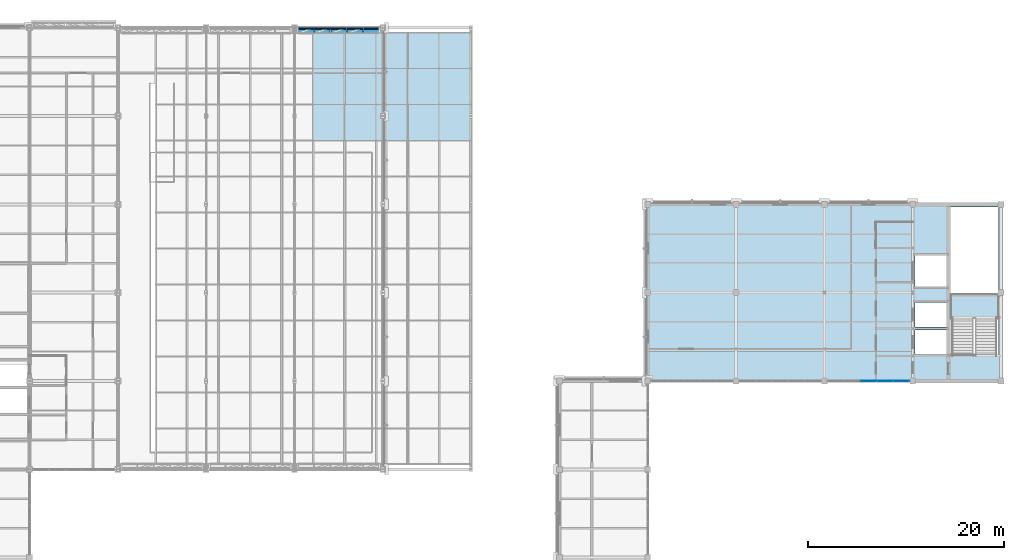
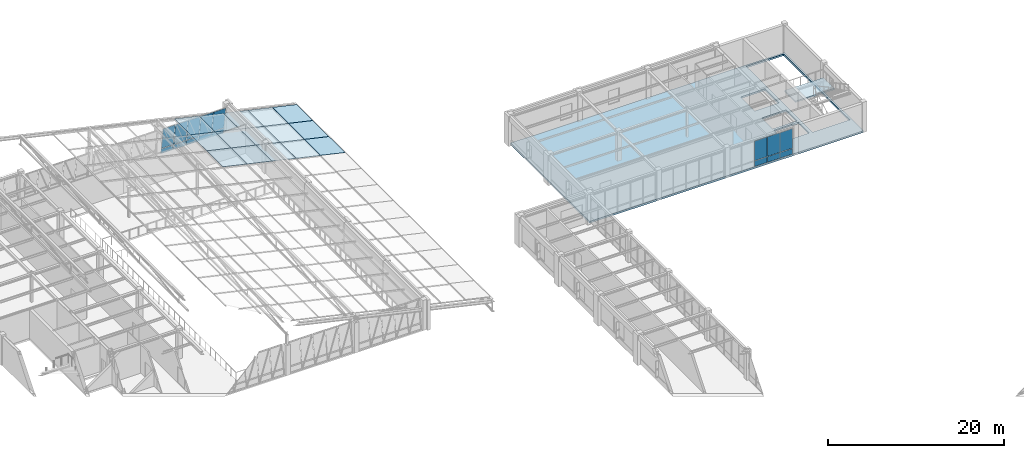
# One storey, part 108 of 130: 31 plates, 2 slabs, 3 openings, 6 elements without a shape of their own.
"""IFC4 building model written with IfcOpenShell, lengths in metres."""

from ifc_helpers import new_model, si_unit, direction, frame, origin, origin_2d, place, context, subcontext, project, spatial, polyline, rectangle, outline, extrude, material, layer, layer_set, type_object, element, aggregate, save


model = new_model("IFC4")

# Units and contexts
model_context = context("Model", 3, precision=1e-05, world=origin(), true_north=direction((0.0, 1.0)))
body_context = subcontext(model_context, "Body", "Model", "MODEL_VIEW")
ifc_project = project(units=[si_unit("LENGTHUNIT", "METRE"), si_unit("AREAUNIT", "SQUARE_METRE"), si_unit("VOLUMEUNIT", "CUBIC_METRE"), si_unit("PLANEANGLEUNIT", "RADIAN"), si_unit("MASSUNIT", "GRAM", prefix="KILO")], contexts=[model_context])

# Site, building, storey
site_placement = place(None, origin())
site = spatial("IfcSite", under=ifc_project, at=site_placement, CompositionType="ELEMENT")
building_placement = place(site_placement, origin())
building = spatial("IfcBuilding", under=site, at=building_placement, Name="Lykobir Media Centre", CompositionType="ELEMENT")
storey_placement = place(building_placement, frame((0.0, 0.0, 19.199951171875)))
storey = spatial("IfcBuildingStorey", under=building, at=storey_placement, Name="L04", CompositionType="ELEMENT", Elevation=19.199951171875)

# Curtain wall, plates
ifc_material_1 = material(Name="Anodized Aluminium AW-6060", Category="aluminium")
curtain_wall_type_1 = type_object("IfcCurtainWallType", Name="CW-COURT-B", PredefinedType="NOTDEFINED", material=ifc_material_1)
curtain_wall_1_placement = place(storey_placement, origin())
curtain_wall_1 = element("IfcCurtainWall", 1, at=curtain_wall_1_placement, inside=storey, type_object=curtain_wall_type_1, Name="Curtain wall CW2-L04-0180", PredefinedType="NOTDEFINED")
ifc_material_2 = material(Name="Low-E Laminated Triple Glazing", Category="glass")
ifc_layer_1 = layer(ifc_material_2, 0.0380859375, Name="Low-E Laminated Triple Glazing")
ifc_layer_set_1 = layer_set([ifc_layer_1], Name="Low-E Laminated Triple Glazing")
plate_type_1 = type_object("IfcPlateType", Name="CWP-GLZ-38", PredefinedType="CURTAIN_PANEL", material=ifc_layer_set_1)
plate_1_placement = place(storey_placement, frame((124.84228515625, 72.0, 0.87744140625), z_axis=(0.0, 0.0, 1.0), x_axis=(-1.0, 0.0, 0.0)))
plate_1 = element("IfcPlate", 2, at=plate_1_placement, type_object=plate_type_1, Name="CW2-L04-0180 panel 1.2", PredefinedType="CURTAIN_PANEL", context=body_context, shape_type="SweptSolid", body=[
    extrude(rectangle(XDim=1.595458984375, YDim=0.0380859375, at=origin_2d()), origin(), (0.0, 0.0, 1.0), 2.702392578125),
])
plate_2_placement = place(storey_placement, frame((123.177978515625, 72.0, 0.87744140625), z_axis=(0.0, 0.0, 1.0), x_axis=(-1.0, 0.0, 0.0)))
plate_2 = element("IfcPlate", 3, at=plate_2_placement, type_object=plate_type_1, Name="CW2-L04-0180 panel 2.2", PredefinedType="CURTAIN_PANEL", context=body_context, shape_type="SweptSolid", body=[
    extrude(rectangle(XDim=1.623046875, YDim=0.0380859375, at=origin_2d()), origin(), (0.0, 0.0, 1.0), 2.702392578125),
])
plate_3_placement = place(storey_placement, frame((121.5, 72.0, 0.87744140625), z_axis=(0.0, 0.0, 1.0), x_axis=(-1.0, 0.0, 0.0)))
plate_3 = element("IfcPlate", 4, at=plate_3_placement, type_object=plate_type_1, Name="CW2-L04-0180 panel 3.2", PredefinedType="CURTAIN_PANEL", context=body_context, shape_type="SweptSolid", body=[
    extrude(rectangle(XDim=1.623046875, YDim=0.0380859375, at=origin_2d()), origin(), (0.0, 0.0, 1.0), 2.702392578125),
])

curtain_wall_type_2 = type_object("IfcCurtainWallType", Name="CW-V6-CR4", PredefinedType="NOTDEFINED", material=ifc_material_1)
curtain_wall_2_placement = place(storey_placement, origin())
curtain_wall_2 = element("IfcCurtainWall", 5, at=curtain_wall_2_placement, inside=storey, type_object=curtain_wall_type_2, Name="Curtain wall CW2-L04-0166", PredefinedType="NOTDEFINED")
ifc_layer_2 = layer(ifc_material_2, 0.0439453125, Name="Low-E Laminated Triple Glazing")
ifc_layer_set_2 = layer_set([ifc_layer_2], Name="Low-E Laminated Triple Glazing")
plate_type_2 = type_object("IfcPlateType", Name="CWP-GLZ-44", PredefinedType="CURTAIN_PANEL", material=ifc_layer_set_2)
plate_4_placement = place(storey_placement, frame((64.162841796875, 107.873291015625, 0.87841796875), z_axis=(0.0, -0.142628933706, 0.989776230908), x_axis=(1.0, 0.0, 0.0)))
plate_4 = element("IfcPlate", 6, at=plate_4_placement, type_object=plate_type_2, Name="CW2-L04-0166 panel 1.2", PredefinedType="CURTAIN_PANEL", context=body_context, shape_type="SweptSolid", body=[
    extrude(rectangle(XDim=1.5654296875, YDim=0.0439453125, at=origin_2d()), origin(), (0.0, 0.0, 1.0), 3.018310546875),
])
plate_5_placement = place(storey_placement, frame((65.822021484375, 107.873291015625, 0.87841796875), z_axis=(0.0, -0.142628933706, 0.989776230908), x_axis=(1.0, 0.0, 0.0)))
plate_5 = element("IfcPlate", 7, at=plate_5_placement, type_object=plate_type_2, Name="CW2-L04-0166 panel 2.2", PredefinedType="CURTAIN_PANEL", context=body_context, shape_type="SweptSolid", body=[
    extrude(rectangle(XDim=1.60302734375, YDim=0.0439453125, at=origin_2d()), origin(), (0.0, 0.0, 1.0), 3.018310546875),
])
plate_6_placement = place(storey_placement, frame((67.5, 107.873291015625, 0.87841796875), z_axis=(0.0, -0.142628933706, 0.989776230908), x_axis=(1.0, 0.0, 0.0)))
plate_6 = element("IfcPlate", 8, at=plate_6_placement, type_object=plate_type_2, Name="CW2-L04-0166 panel 3.2", PredefinedType="CURTAIN_PANEL", context=body_context, shape_type="SweptSolid", body=[
    extrude(rectangle(XDim=1.60302734375, YDim=0.0439453125, at=origin_2d()), origin(), (0.0, 0.0, 1.0), 3.018310546875),
])
plate_7_placement = place(storey_placement, frame((69.177978515625, 107.873291015625, 0.87841796875), z_axis=(0.0, -0.142628933706, 0.989776230908), x_axis=(1.0, 0.0, 0.0)))
plate_7 = element("IfcPlate", 9, at=plate_7_placement, type_object=plate_type_2, Name="CW2-L04-0166 panel 4.2", PredefinedType="CURTAIN_PANEL", context=body_context, shape_type="SweptSolid", body=[
    extrude(rectangle(XDim=1.60302734375, YDim=0.0439453125, at=origin_2d()), origin(), (0.0, 0.0, 1.0), 3.018310546875),
])
plate_8_placement = place(storey_placement, frame((70.837158203125, 107.873291015625, 0.87841796875), z_axis=(0.0, -0.142628933706, 0.989776230908), x_axis=(1.0, 0.0, 0.0)))
plate_8 = element("IfcPlate", 10, at=plate_8_placement, type_object=plate_type_2, Name="CW2-L04-0166 panel 5.2", PredefinedType="CURTAIN_PANEL", context=body_context, shape_type="SweptSolid", body=[
    extrude(rectangle(XDim=1.5654296875, YDim=0.0439453125, at=origin_2d()), origin(), (0.0, 0.0, 1.0), 3.018310546875),
])

curtain_wall_type_3 = type_object("IfcCurtainWallType", Name="CW-V6-SKY", PredefinedType="NOTDEFINED", material=ifc_material_1)
curtain_wall_3_placement = place(storey_placement, origin())
curtain_wall_3 = element("IfcCurtainWall", 11, at=curtain_wall_3_placement, inside=storey, type_object=curtain_wall_type_3, Name="Curtain wall CW-V6-SKY01", PredefinedType="NOTDEFINED")
plate_9_placement = place(storey_placement, frame((80.998046875, 105.685546875, 1.00048828125), z_axis=(-0.975261365164, 0.0, 0.221054901821), x_axis=(0.0, -1.0, 0.0)))
plate_9 = element("IfcPlate", 12, at=plate_9_placement, type_object=plate_type_2, Name="CW-V6-SKY01 panel 1.1", PredefinedType="CURTAIN_PANEL", context=body_context, shape_type="SweptSolid", body=[
    extrude(rectangle(XDim=3.6650390625, YDim=0.0439453125, at=origin_2d()), origin(), (0.0, 0.0, 1.0), 3.290771484375),
])
plate_10_placement = place(storey_placement, frame((77.78271484375, 105.685546875, 1.729248046875), z_axis=(-0.975261365164, 0.0, 0.221054901821), x_axis=(0.0, -1.0, 0.0)))
plate_10 = element("IfcPlate", 13, at=plate_10_placement, type_object=plate_type_2, Name="CW-V6-SKY01 panel 1.2", PredefinedType="CURTAIN_PANEL", context=body_context, shape_type="SweptSolid", body=[
    extrude(rectangle(XDim=3.6650390625, YDim=0.0439453125, at=origin_2d()), origin(), (0.0, 0.0, 1.0), 3.290771484375),
])
plate_11_placement = place(storey_placement, frame((80.998046875, 102.014892578125, 1.00048828125), z_axis=(-0.975261365164, 0.0, 0.221054901821), x_axis=(0.0, -1.0, 0.0)))
plate_11 = element("IfcPlate", 14, at=plate_11_placement, type_object=plate_type_2, Name="CW-V6-SKY01 panel 2.1", PredefinedType="CURTAIN_PANEL", context=body_context, shape_type="SweptSolid", body=[
    extrude(rectangle(XDim=3.6640625, YDim=0.0439453125, at=origin_2d()), origin(), (0.0, 0.0, 1.0), 3.290771484375),
])
plate_12_placement = place(storey_placement, frame((77.78271484375, 102.014892578125, 1.729248046875), z_axis=(-0.975261365164, 0.0, 0.221054901821), x_axis=(0.0, -1.0, 0.0)))
plate_12 = element("IfcPlate", 15, at=plate_12_placement, type_object=plate_type_2, Name="CW-V6-SKY01 panel 2.2", PredefinedType="CURTAIN_PANEL", context=body_context, shape_type="SweptSolid", body=[
    extrude(rectangle(XDim=3.6640625, YDim=0.0439453125, at=origin_2d()), origin(), (0.0, 0.0, 1.0), 3.290771484375),
])
plate_13_placement = place(storey_placement, frame((80.998046875, 98.344970703125, 1.00048828125), z_axis=(-0.975261365164, 0.0, 0.221054901821), x_axis=(0.0, -1.0, 0.0)))
plate_13 = element("IfcPlate", 16, at=plate_13_placement, type_object=plate_type_2, Name="CW-V6-SKY01 panel 3.1", PredefinedType="CURTAIN_PANEL", context=body_context, shape_type="SweptSolid", body=[
    extrude(rectangle(XDim=3.6640625, YDim=0.0439453125, at=origin_2d()), origin(), (0.0, 0.0, 1.0), 3.290771484375),
])
plate_14_placement = place(storey_placement, frame((77.78271484375, 98.344970703125, 1.729248046875), z_axis=(-0.975261365164, 0.0, 0.221054901821), x_axis=(0.0, -1.0, 0.0)))
plate_14 = element("IfcPlate", 17, at=plate_14_placement, type_object=plate_type_2, Name="CW-V6-SKY01 panel 3.2", PredefinedType="CURTAIN_PANEL", context=body_context, shape_type="SweptSolid", body=[
    extrude(rectangle(XDim=3.6640625, YDim=0.0439453125, at=origin_2d()), origin(), (0.0, 0.0, 1.0), 3.290771484375),
])
aggregate(curtain_wall_3, [plate_9, plate_10, plate_11, plate_12, plate_13, plate_14])

curtain_wall_4_placement = place(storey_placement, origin())
curtain_wall_4 = element("IfcCurtainWall", 18, at=curtain_wall_4_placement, inside=storey, type_object=curtain_wall_type_3, Name="Curtain wall CW-V6-SKY02", PredefinedType="NOTDEFINED")
plate_15_placement = place(storey_placement, frame((74.5693359375, 105.685546875, 2.45751953125), z_axis=(-0.975257506879, 0.0, 0.221071923309), x_axis=(0.0, -1.0, 0.0)))
plate_15 = element("IfcPlate", 19, at=plate_15_placement, type_object=plate_type_2, Name="CW-V6-SKY02 panel 1.1", PredefinedType="CURTAIN_PANEL", context=body_context, shape_type="SweptSolid", body=[
    extrude(rectangle(XDim=3.6650390625, YDim=0.0439453125, at=origin_2d()), origin(), (0.0, 0.0, 1.0), 3.290771484375),
])
plate_16_placement = place(storey_placement, frame((71.354248046875, 105.685546875, 3.1865234375), z_axis=(-0.975257506879, 0.0, 0.221071923309), x_axis=(0.0, -1.0, 0.0)))
plate_16 = element("IfcPlate", 20, at=plate_16_placement, type_object=plate_type_2, Name="CW-V6-SKY02 panel 1.2", PredefinedType="CURTAIN_PANEL", context=body_context, shape_type="SweptSolid", body=[
    extrude(rectangle(XDim=3.6650390625, YDim=0.0439453125, at=origin_2d()), origin(), (0.0, 0.0, 1.0), 3.290771484375),
])
plate_17_placement = place(storey_placement, frame((74.5693359375, 102.014892578125, 2.45751953125), z_axis=(-0.975257506879, 0.0, 0.221071923309), x_axis=(0.0, -1.0, 0.0)))
plate_17 = element("IfcPlate", 21, at=plate_17_placement, type_object=plate_type_2, Name="CW-V6-SKY02 panel 2.1", PredefinedType="CURTAIN_PANEL", context=body_context, shape_type="SweptSolid", body=[
    extrude(rectangle(XDim=3.6640625, YDim=0.0439453125, at=origin_2d()), origin(), (0.0, 0.0, 1.0), 3.290771484375),
])
plate_18_placement = place(storey_placement, frame((71.354248046875, 102.014892578125, 3.1865234375), z_axis=(-0.975257506879, 0.0, 0.221071923309), x_axis=(0.0, -1.0, 0.0)))
plate_18 = element("IfcPlate", 22, at=plate_18_placement, type_object=plate_type_2, Name="CW-V6-SKY02 panel 2.2", PredefinedType="CURTAIN_PANEL", context=body_context, shape_type="SweptSolid", body=[
    extrude(rectangle(XDim=3.6640625, YDim=0.0439453125, at=origin_2d()), origin(), (0.0, 0.0, 1.0), 3.290771484375),
])
plate_19_placement = place(storey_placement, frame((74.5693359375, 98.344970703125, 2.45751953125), z_axis=(-0.975257506879, 0.0, 0.221071923309), x_axis=(0.0, -1.0, 0.0)))
plate_19 = element("IfcPlate", 23, at=plate_19_placement, type_object=plate_type_2, Name="CW-V6-SKY02 panel 3.1", PredefinedType="CURTAIN_PANEL", context=body_context, shape_type="SweptSolid", body=[
    extrude(rectangle(XDim=3.6640625, YDim=0.0439453125, at=origin_2d()), origin(), (0.0, 0.0, 1.0), 3.290771484375),
])
plate_20_placement = place(storey_placement, frame((71.354248046875, 98.344970703125, 3.1865234375), z_axis=(-0.975257506879, 0.0, 0.221071923309), x_axis=(0.0, -1.0, 0.0)))
plate_20 = element("IfcPlate", 24, at=plate_20_placement, type_object=plate_type_2, Name="CW-V6-SKY02 panel 3.2", PredefinedType="CURTAIN_PANEL", context=body_context, shape_type="SweptSolid", body=[
    extrude(rectangle(XDim=3.6640625, YDim=0.0439453125, at=origin_2d()), origin(), (0.0, 0.0, 1.0), 3.290771484375),
])
aggregate(curtain_wall_4, [plate_15, plate_16, plate_17, plate_18, plate_19, plate_20])

curtain_wall_5_placement = place(storey_placement, origin())
curtain_wall_5 = element("IfcCurtainWall", 25, at=curtain_wall_5_placement, inside=storey, type_object=curtain_wall_type_3, Name="Curtain wall CW-V6-SKY03", PredefinedType="NOTDEFINED")
plate_21_placement = place(storey_placement, frame((68.140869140625, 105.685546875, 3.914794921875), z_axis=(-0.975261365164, 0.0, 0.221054901821), x_axis=(0.0, -1.0, 0.0)))
plate_21 = element("IfcPlate", 26, at=plate_21_placement, type_object=plate_type_2, Name="CW-V6-SKY03 panel 1.1", PredefinedType="CURTAIN_PANEL", context=body_context, shape_type="SweptSolid", body=[
    extrude(rectangle(XDim=3.6650390625, YDim=0.0439453125, at=origin_2d()), origin(), (0.0, 0.0, 1.0), 3.290771484375),
])
plate_22_placement = place(storey_placement, frame((68.140869140625, 102.014892578125, 3.914794921875), z_axis=(-0.975261365164, 0.0, 0.221054901821), x_axis=(0.0, -1.0, 0.0)))
plate_22 = element("IfcPlate", 27, at=plate_22_placement, type_object=plate_type_2, Name="CW-V6-SKY03 panel 2.1", PredefinedType="CURTAIN_PANEL", context=body_context, shape_type="SweptSolid", body=[
    extrude(rectangle(XDim=3.6640625, YDim=0.0439453125, at=origin_2d()), origin(), (0.0, 0.0, 1.0), 3.290771484375),
])
plate_23_placement = place(storey_placement, frame((68.140869140625, 98.344970703125, 3.914794921875), z_axis=(-0.975261365164, 0.0, 0.221054901821), x_axis=(0.0, -1.0, 0.0)))
plate_23 = element("IfcPlate", 28, at=plate_23_placement, type_object=plate_type_2, Name="CW-V6-SKY03 panel 3.1", PredefinedType="CURTAIN_PANEL", context=body_context, shape_type="SweptSolid", body=[
    extrude(rectangle(XDim=3.6640625, YDim=0.0439453125, at=origin_2d()), origin(), (0.0, 0.0, 1.0), 3.290771484375),
])
aggregate(curtain_wall_5, [plate_21, plate_22, plate_23])

# Plate
ifc_material_3 = material(Name="Pre-Weathered Titanium-Zinc", Category="metal")
ifc_layer_3 = layer(ifc_material_3, 0.052001953125, Name="Pre-Weathered Titanium-Zinc")
ifc_layer_set_3 = layer_set([ifc_layer_3], Name="Pre-Weathered Titanium-Zinc")
plate_type_3 = type_object("IfcPlateType", Name="CWP-SPN-52", PredefinedType="CURTAIN_PANEL", material=ifc_layer_set_3)
plate_24_placement = place(storey_placement, frame((64.162841796875, 107.9892578125, 0.07421875), z_axis=(0.0, -0.142628933706, 0.989776230908), x_axis=(1.0, 0.0, 0.0)))
plate_24 = element("IfcPlate", 29, at=plate_24_placement, type_object=plate_type_3, Name="CW2-L04-0166 panel 1.1", PredefinedType="CURTAIN_PANEL", context=body_context, shape_type="SweptSolid", body=[
    extrude(rectangle(XDim=1.5654296875, YDim=0.052001953125, at=origin_2d()), origin(), (0.0, 0.0, 1.0), 0.737548828125),
])

plate_25_placement = place(storey_placement, frame((65.822021484375, 107.9892578125, 0.07421875), z_axis=(0.0, -0.142628933706, 0.989776230908), x_axis=(1.0, 0.0, 0.0)))
plate_25 = element("IfcPlate", 30, at=plate_25_placement, type_object=plate_type_3, Name="CW2-L04-0166 panel 2.1", PredefinedType="CURTAIN_PANEL", context=body_context, shape_type="SweptSolid", body=[
    extrude(rectangle(XDim=1.60302734375, YDim=0.052001953125, at=origin_2d()), origin(), (0.0, 0.0, 1.0), 0.737548828125),
])

plate_26_placement = place(storey_placement, frame((67.5, 107.9892578125, 0.07421875), z_axis=(0.0, -0.142628933706, 0.989776230908), x_axis=(1.0, 0.0, 0.0)))
plate_26 = element("IfcPlate", 31, at=plate_26_placement, type_object=plate_type_3, Name="CW2-L04-0166 panel 3.1", PredefinedType="CURTAIN_PANEL", context=body_context, shape_type="SweptSolid", body=[
    extrude(rectangle(XDim=1.60302734375, YDim=0.052001953125, at=origin_2d()), origin(), (0.0, 0.0, 1.0), 0.737548828125),
])

plate_27_placement = place(storey_placement, frame((69.177978515625, 107.9892578125, 0.07421875), z_axis=(0.0, -0.142628933706, 0.989776230908), x_axis=(1.0, 0.0, 0.0)))
plate_27 = element("IfcPlate", 32, at=plate_27_placement, type_object=plate_type_3, Name="CW2-L04-0166 panel 4.1", PredefinedType="CURTAIN_PANEL", context=body_context, shape_type="SweptSolid", body=[
    extrude(rectangle(XDim=1.60302734375, YDim=0.052001953125, at=origin_2d()), origin(), (0.0, 0.0, 1.0), 0.737548828125),
])

plate_28_placement = place(storey_placement, frame((70.837158203125, 107.9892578125, 0.07421875), z_axis=(0.0, -0.142628933706, 0.989776230908), x_axis=(1.0, 0.0, 0.0)))
plate_28 = element("IfcPlate", 33, at=plate_28_placement, type_object=plate_type_3, Name="CW2-L04-0166 panel 5.1", PredefinedType="CURTAIN_PANEL", context=body_context, shape_type="SweptSolid", body=[
    extrude(rectangle(XDim=1.5654296875, YDim=0.052001953125, at=origin_2d()), origin(), (0.0, 0.0, 1.0), 0.737548828125),
])

aggregate(curtain_wall_2, [plate_24, plate_4, plate_25, plate_5, plate_26, plate_6, plate_27, plate_7, plate_28, plate_8])

plate_29_placement = place(storey_placement, frame((124.84228515625, 72.0, 0.054931640625), z_axis=(0.0, 0.0, 1.0), x_axis=(-1.0, 0.0, 0.0)))
plate_29 = element("IfcPlate", 34, at=plate_29_placement, type_object=plate_type_3, Name="CW2-L04-0180 panel 1.1", PredefinedType="CURTAIN_PANEL", context=body_context, shape_type="SweptSolid", body=[
    extrude(rectangle(XDim=1.595458984375, YDim=0.052001953125, at=origin_2d()), origin(), (0.0, 0.0, 1.0), 0.767578125),
])

plate_30_placement = place(storey_placement, frame((123.177978515625, 72.0, 0.054931640625), z_axis=(0.0, 0.0, 1.0), x_axis=(-1.0, 0.0, 0.0)))
plate_30 = element("IfcPlate", 35, at=plate_30_placement, type_object=plate_type_3, Name="CW2-L04-0180 panel 2.1", PredefinedType="CURTAIN_PANEL", context=body_context, shape_type="SweptSolid", body=[
    extrude(rectangle(XDim=1.623046875, YDim=0.052001953125, at=origin_2d()), origin(), (0.0, 0.0, 1.0), 0.767578125),
])

plate_31_placement = place(storey_placement, frame((121.5, 72.0, 0.054931640625), z_axis=(0.0, 0.0, 1.0), x_axis=(-1.0, 0.0, 0.0)))
plate_31 = element("IfcPlate", 36, at=plate_31_placement, type_object=plate_type_3, Name="CW2-L04-0180 panel 3.1", PredefinedType="CURTAIN_PANEL", context=body_context, shape_type="SweptSolid", body=[
    extrude(rectangle(XDim=1.623046875, YDim=0.052001953125, at=origin_2d()), origin(), (0.0, 0.0, 1.0), 0.767578125),
])

aggregate(curtain_wall_1, [plate_29, plate_1, plate_30, plate_2, plate_31, plate_3])

# Slab, openings
ifc_material_4 = material(Name="Concrete C30/37", Category="concrete")
ifc_layer_4 = layer(ifc_material_4, 0.239990234375, Name="Concrete C30/37")
ifc_layer_set_4 = layer_set([ifc_layer_4], Name="Concrete C30/37")
slab_type_1 = type_object("IfcSlabType", Name="FS-240", PredefinedType="FLOOR", material=ifc_layer_set_4)
slab_1_placement = place(storey_placement, frame((0.0, 0.0, -0.239990234375)))
slab_1 = element("IfcSlab", 37, at=slab_1_placement, inside=storey, type_object=slab_type_1, Name="L04 structural slab 3", PredefinedType="FLOOR", context=body_context, shape_type="SweptSolid", body=[
    extrude(outline(polyline([(135.0, 90.0), (99.0, 90.0), (99.0, 72.0), (135.0, 72.0), (135.0, 90.0)]), holes=[polyline([(134.75, 74.64990234375), (129.85009765625, 74.64990234375), (129.85009765625, 89.75), (134.75, 89.75), (134.75, 74.64990234375)])]), origin(), (0.0, 0.0, 1.0), 0.239990234375),
])
opening_1_placement = place(slab_1_placement, frame((127.85009765625, 75.949951171875, 0.0)))
element("IfcOpeningElement", 38, at=opening_1_placement, cuts=slab_1, Name="Shaft opening C4-pass_shaft-L04", PredefinedType="OPENING", context=body_context, shape_type="SweptSolid", body=[
    extrude(rectangle(XDim=3.199951171875, YDim=2.5, at=origin_2d()), origin(), (0.0, 0.0, 1.0), 0.239990234375),
])
opening_2_placement = place(slab_1_placement, frame((127.85009765625, 78.75, 0.0)))
element("IfcOpeningElement", 39, at=opening_2_placement, cuts=slab_1, Name="Shaft opening C4-ff_shaft-L04", PredefinedType="OPENING", context=body_context, shape_type="SweptSolid", body=[
    extrude(rectangle(XDim=3.199951171875, YDim=2.5, at=origin_2d()), origin(), (0.0, 0.0, 1.0), 0.239990234375),
])
opening_3_placement = place(slab_1_placement, frame((127.85009765625, 83.199951171875, 0.0)))
element("IfcOpeningElement", 40, at=opening_3_placement, cuts=slab_1, Name="Shaft opening C4-goods_shaft-L04", PredefinedType="OPENING", context=body_context, shape_type="SweptSolid", body=[
    extrude(rectangle(XDim=3.199951171875, YDim=3.199951171875, at=origin_2d()), origin(), (0.0, 0.0, 1.0), 0.239990234375),
])

# Stair, slab
stair_type = type_object("IfcStairType", Name="ST-HT-420", PredefinedType="HALF_TURN_STAIR", material=ifc_material_4)
stair_placement = place(storey_placement, origin())
stair = element("IfcStair", 41, at=stair_placement, inside=storey, type_object=stair_type, Name="Escape stair ST-4 L04", PredefinedType="HALF_TURN_STAIR")
ifc_layer_5 = layer(ifc_material_4, 0.195068359375, Name="Concrete C30/37")
ifc_layer_set_5 = layer_set([ifc_layer_5], Name="Concrete C30/37")
slab_type_2 = type_object("IfcSlabType", Name="SL-195", PredefinedType="LANDING", material=ifc_layer_set_5)
slab_2_placement = place(storey_placement, frame((0.0, 0.0, 1.905029296875)))
slab_2 = element("IfcSlab", 42, at=slab_2_placement, type_object=slab_type_2, Name="ST-4-L04 landing 1", PredefinedType="LANDING", context=body_context, shape_type="SweptSolid", body=[
    extrude(outline(polyline([(129.72998046875, 78.35009765625), (134.8701171875, 78.35009765625), (134.8701171875, 80.830078125), (129.72998046875, 80.830078125), (129.72998046875, 78.35009765625)])), origin(), (0.0, 0.0, 1.0), 0.195068359375),
])
aggregate(stair, [slab_2])

save(model, "model.ifc")
